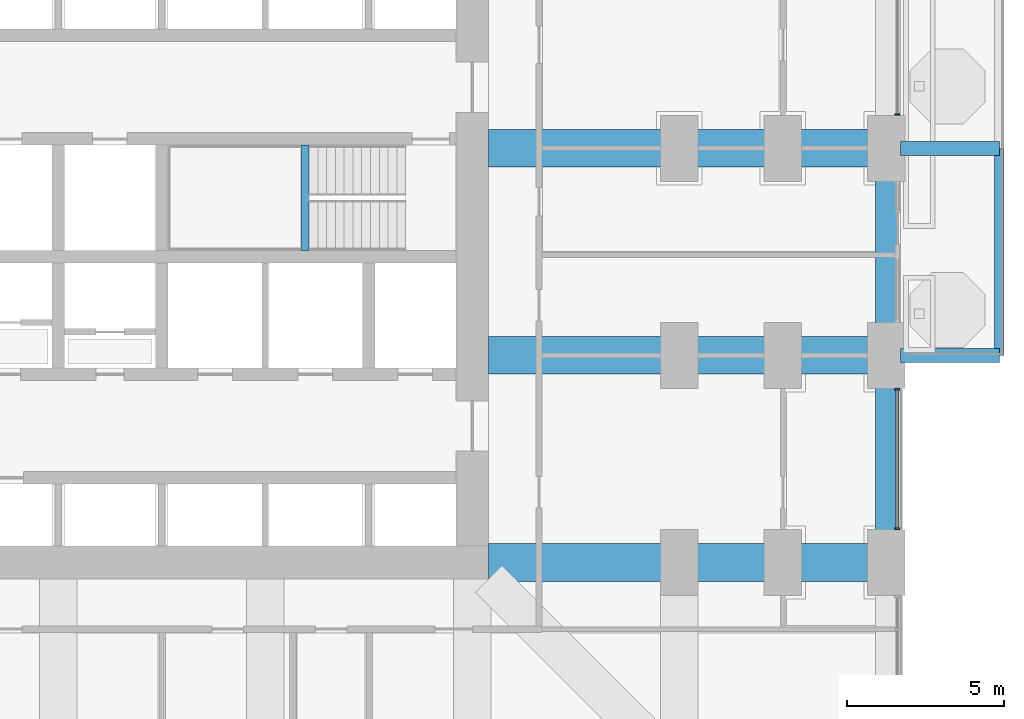
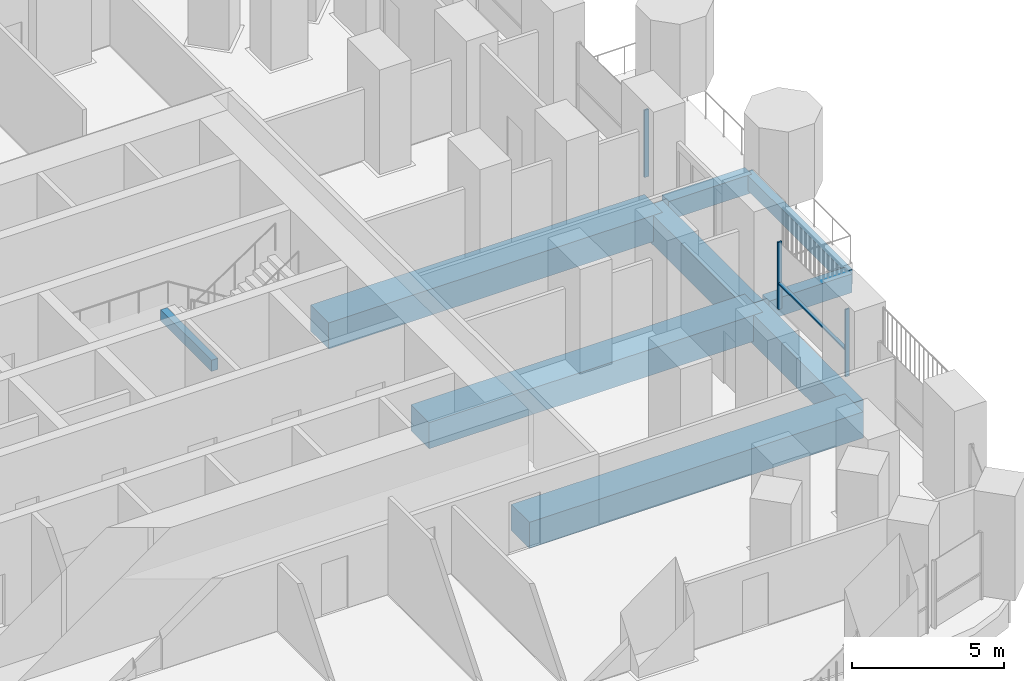
# One storey, part 5 of 26: 9 beams, 4 members, 2 elements without a shape of their own.
"""IFC4 building model written with IfcOpenShell, lengths in metres."""

from ifc_helpers import new_model, si_unit, direction, frame, origin, origin_2d, place, context, subcontext, project, spatial, rectangle, extrude, material, material_profile, profile_set, type_object, element, aggregate, save


model = new_model("IFC4")

# Units and contexts
model_context = context("Model", 3, precision=1e-05, world=origin(), true_north=direction((0.0, 1.0)))
body_context = subcontext(model_context, "Body", "Model", "MODEL_VIEW")
ifc_project = project(units=[si_unit("LENGTHUNIT", "METRE"), si_unit("AREAUNIT", "SQUARE_METRE"), si_unit("VOLUMEUNIT", "CUBIC_METRE"), si_unit("PLANEANGLEUNIT", "RADIAN"), si_unit("MASSUNIT", "GRAM", prefix="KILO")], contexts=[model_context])

# Site, building, storey
site_placement = place(None, origin())
site = spatial("IfcSite", under=ifc_project, at=site_placement, CompositionType="ELEMENT")
building_placement = place(site_placement, origin())
building = spatial("IfcBuilding", under=site, at=building_placement, Name="Cobogo Forest Laboratory Tower", CompositionType="ELEMENT")
storey_placement = place(building_placement, frame((0.0, 0.0, 42.300048828125)))
storey = spatial("IfcBuildingStorey", under=building, at=storey_placement, Name="L09", CompositionType="ELEMENT", Elevation=42.300048828125)

# Beams
ifc_material_1 = material(Name="Concrete HA-40 (C40/50)", Category="concrete")
ifc_material_profile_1 = material_profile(ifc_material_1, rectangle(XDim=0.449951171875, YDim=0.75, at=origin_2d()), Name="RC 450x750")
ifc_profile_set_1 = profile_set([ifc_material_profile_1], Name="Concrete HA-40 (C40/50)")
beam_type_1 = type_object("IfcBeamType", Name="Balcony cantilever beam 450x750", PredefinedType="BEAM", material=ifc_profile_set_1)
for number, where, z_axis, x_axis, name in (
    (1, (53.25, 19.800048828125, -0.625), (1.0, 0.0, 0.0), (0.0, 1.0, 0.0), "CB1 BAL-E1-C1 L09"),
    (2, (53.25, 26.39990234375, -0.625), (1.0, 0.0, 0.0), (0.0, 1.0, 0.0), "CB1 BAL-E1-C2 L09"),
):
    element("IfcBeam", number, at=place(storey_placement, frame(where, z_axis=z_axis, x_axis=x_axis)), inside=storey, type_object=beam_type_1, Name=name, PredefinedType="BEAM", context=body_context, shape_type="SweptSolid", body=[
        extrude(rectangle(XDim=0.449951171875, YDim=0.75, at=origin_2d()), origin(), (0.0, 0.0, 1.0), 3.14990234375),
    ])
ifc_material_profile_2 = material_profile(ifc_material_1, rectangle(XDim=0.300048828125, YDim=0.60009765625, at=origin_2d()), Name="RC 300x600")
ifc_profile_set_2 = profile_set([ifc_material_profile_2], Name="Concrete HA-40 (C40/50)")
beam_type_2 = type_object("IfcBeamType", Name="Balcony edge beam 300x600", PredefinedType="BEAM", material=ifc_profile_set_2)
beam_1_placement = place(storey_placement, frame((56.39990234375, 19.800048828125, -0.550048828125), z_axis=(0.0, 1.0, 0.0), x_axis=(-1.0, 0.0, 0.0)))
element("IfcBeam", 3, at=beam_1_placement, inside=storey, type_object=beam_type_2, Name="BB1 BAL-E1-T1 L09", PredefinedType="BEAM", context=body_context, shape_type="SweptSolid", body=[
    extrude(rectangle(XDim=0.300048828125, YDim=0.60009765625, at=origin_2d()), origin(), (0.0, 0.0, 1.0), 6.599853515625),
])
ifc_material_profile_3 = material_profile(ifc_material_1, rectangle(XDim=0.25, YDim=0.449951171875, at=origin_2d()), Name="RC 250x450")
ifc_profile_set_3 = profile_set([ifc_material_profile_3], Name="Concrete HA-40 (C40/50)")
beam_type_3 = type_object("IfcBeamType", Name="LB1 landing beam 250x450", PredefinedType="BEAM", material=ifc_profile_set_3)
beam_2_placement = place(storey_placement, frame((34.27001953125, 23.14990234375, 1.675048828125), z_axis=(0.0, 1.0, 0.0), x_axis=(-1.0, 0.0, 0.0)))
element("IfcBeam", 4, at=beam_2_placement, inside=storey, type_object=beam_type_3, Name="Landing beam ST2 L09", PredefinedType="BEAM", context=body_context, shape_type="SweptSolid", body=[
    extrude(rectangle(XDim=0.25, YDim=0.449951171875, at=origin_2d()), origin(), (0.0, 0.0, 1.0), 3.35009765625),
])
ifc_material_profile_4 = material_profile(ifc_material_1, rectangle(XDim=1.199951171875, YDim=1.050048828125, at=origin_2d()), Name="RC 1200x1050")
ifc_profile_set_4 = profile_set([ifc_material_profile_4], Name="Concrete HA-40 (C40/50)")
beam_type_4 = type_object("IfcBeamType", Name="Laboratory floor wide beam 1200x1050", PredefinedType="BEAM", material=ifc_profile_set_4)
for number, where, z_axis, x_axis, name in (
    (5, (40.125, 13.199951171875, -0.824951171875), (1.0, 0.0, 0.0), (0.0, 1.0, 0.0), "RB1 R-C-E L09"),
    (6, (40.125, 19.800048828125, -0.824951171875), (1.0, 0.0, 0.0), (0.0, 1.0, 0.0), "RB1 R-D-E L09"),
    (7, (40.125, 26.39990234375, -0.824951171875), (1.0, 0.0, 0.0), (0.0, 1.0, 0.0), "RB1 R-E-E L09"),
):
    element("IfcBeam", number, at=place(storey_placement, frame(where, z_axis=z_axis, x_axis=x_axis)), inside=storey, type_object=beam_type_4, Name=name, PredefinedType="BEAM", context=body_context, shape_type="SweptSolid", body=[
        extrude(rectangle(XDim=1.199951171875, YDim=1.050048828125, at=origin_2d()), origin(), (0.0, 0.0, 1.0), 12.675048828125),
    ])

# Curtain wall, members
ifc_material_2 = material(Name="Aluminium curtain wall", Category="aluminium")
curtain_wall_type = type_object("IfcCurtainWallType", Name="CW-1 unitised curtain wall, clear glazing, laboratory floors zones A and B", PredefinedType="USERDEFINED", material=ifc_material_2)
curtain_wall_1_placement = place(storey_placement, origin())
curtain_wall_1 = element("IfcCurtainWall", 8, at=curtain_wall_1_placement, inside=storey, type_object=curtain_wall_type, Name="Curtain wall 11 L09", ObjectType="UNITISED CURTAIN WALL", PredefinedType="USERDEFINED")
ifc_material_3 = material(Name="Aluminium mullion", Category="aluminium")
ifc_material_profile_5 = material_profile(ifc_material_3, rectangle(XDim=0.06005859375, YDim=0.159912109375, at=origin_2d()), Name="AL 60x160")
ifc_profile_set_5 = profile_set([ifc_material_profile_5], Name="Aluminium mullion")
member_type_1 = type_object("IfcMemberType", Name="MU-1 aluminium mullion 60x160", PredefinedType="MULLION", material=ifc_profile_set_5)
member_1_placement = place(storey_placement, frame((53.14990234375, 14.280029296875, 0.0), z_axis=(0.0, 0.0, 1.0), x_axis=(0.0, 1.0, 0.0)))
member_1 = element("IfcMember", 9, at=member_1_placement, type_object=member_type_1, Name="CW-1 mullion 1", PredefinedType="MULLION", context=body_context, shape_type="SweptSolid", body=[
    extrude(rectangle(XDim=0.06005859375, YDim=0.159912109375, at=origin_2d()), origin(), (0.0, 0.0, 1.0), 2.699951171875),
])
member_2_placement = place(storey_placement, frame((53.14990234375, 18.719970703125, 0.0), z_axis=(0.0, 0.0, 1.0), x_axis=(0.0, 1.0, 0.0)))
member_2 = element("IfcMember", 10, at=member_2_placement, type_object=member_type_1, Name="CW-1 mullion 2", PredefinedType="MULLION", context=body_context, shape_type="SweptSolid", body=[
    extrude(rectangle(XDim=0.06005859375, YDim=0.159912109375, at=origin_2d()), origin(), (0.0, 0.0, 1.0), 2.699951171875),
])

# Curtain wall, member
curtain_wall_2_placement = place(storey_placement, origin())
curtain_wall_2 = element("IfcCurtainWall", 11, at=curtain_wall_2_placement, inside=storey, type_object=curtain_wall_type, Name="Curtain wall 13 L09", ObjectType="UNITISED CURTAIN WALL", PredefinedType="USERDEFINED")
member_3_placement = place(storey_placement, frame((53.14990234375, 27.47998046875, 0.0), z_axis=(0.0, 0.0, 1.0), x_axis=(0.0, 1.0, 0.0)))
member_3 = element("IfcMember", 12, at=member_3_placement, type_object=member_type_1, Name="CW-1 mullion 1", PredefinedType="MULLION", context=body_context, shape_type="SweptSolid", body=[
    extrude(rectangle(XDim=0.06005859375, YDim=0.159912109375, at=origin_2d()), origin(), (0.0, 0.0, 1.0), 2.699951171875),
])
aggregate(curtain_wall_2, [member_3])

# Beams
ifc_material_profile_6 = material_profile(ifc_material_1, rectangle(XDim=0.699951171875, YDim=1.199951171875, at=origin_2d()), Name="RC 700x1200")
ifc_profile_set_6 = profile_set([ifc_material_profile_6], Name="Concrete HA-40 (C40/50)")
beam_type_5 = type_object("IfcBeamType", Name="Perimeter edge beam 700x1200", PredefinedType="BEAM", material=ifc_profile_set_6)
beam_3_placement = place(storey_placement, frame((52.800048828125, 13.199951171875, -0.900146484375), z_axis=(0.0, 1.0, 0.0), x_axis=(-1.0, 0.0, 0.0)))
element("IfcBeam", 13, at=beam_3_placement, inside=storey, type_object=beam_type_5, Name="EB1 E-E2 L09", PredefinedType="BEAM", context=body_context, shape_type="SweptSolid", body=[
    extrude(rectangle(XDim=0.699951171875, YDim=1.199951171875, at=origin_2d()), origin(), (0.0, 0.0, 1.0), 6.60009765625),
])
beam_4_placement = place(storey_placement, frame((52.800048828125, 19.800048828125, -0.900146484375), z_axis=(0.0, 1.0, 0.0), x_axis=(-1.0, 0.0, 0.0)))
element("IfcBeam", 14, at=beam_4_placement, inside=storey, type_object=beam_type_5, Name="EB1 E-E3 L09", PredefinedType="BEAM", context=body_context, shape_type="SweptSolid", body=[
    extrude(rectangle(XDim=0.699951171875, YDim=1.199951171875, at=origin_2d()), origin(), (0.0, 0.0, 1.0), 6.599853515625),
])

# Member
ifc_material_4 = material(Name="Aluminium transom", Category="aluminium")
ifc_material_profile_7 = material_profile(ifc_material_4, rectangle(XDim=0.1201171875, YDim=0.06005859375, at=origin_2d()), Name="AL 60x120")
ifc_profile_set_7 = profile_set([ifc_material_profile_7], Name="Aluminium transom")
member_type_2 = type_object("IfcMemberType", Name="TR-1 aluminium transom 60x120", PredefinedType="USERDEFINED", material=ifc_profile_set_7)
member_4_placement = place(storey_placement, frame((53.14990234375, 14.31005859375, 1.050048828125), z_axis=(0.0, 1.0, 0.0), x_axis=(-1.0, 0.0, 0.0)))
member_4 = element("IfcMember", 15, at=member_4_placement, type_object=member_type_2, Name="CW-1 transom 1.1", ObjectType="TRANSOM", PredefinedType="USERDEFINED", context=body_context, shape_type="SweptSolid", body=[
    extrude(rectangle(XDim=0.1201171875, YDim=0.06005859375, at=origin_2d()), origin(), (0.0, 0.0, 1.0), 4.3798828125),
])

aggregate(curtain_wall_1, [member_1, member_2, member_4])

save(model, "model.ifc")
